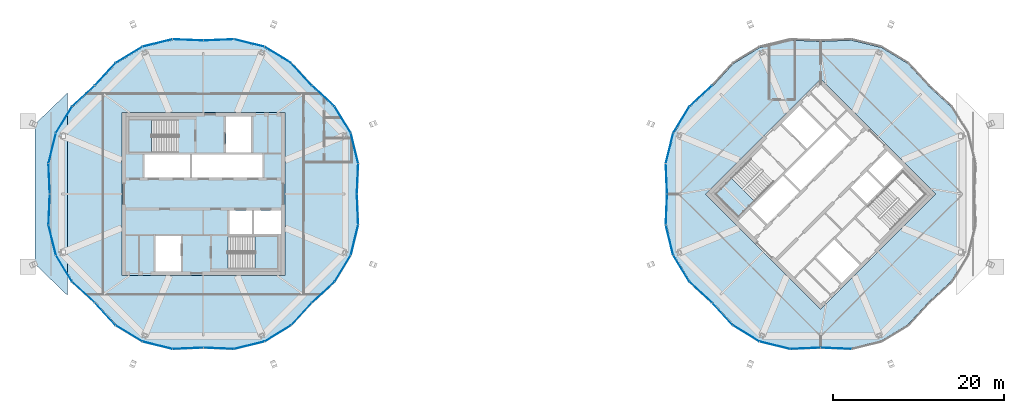
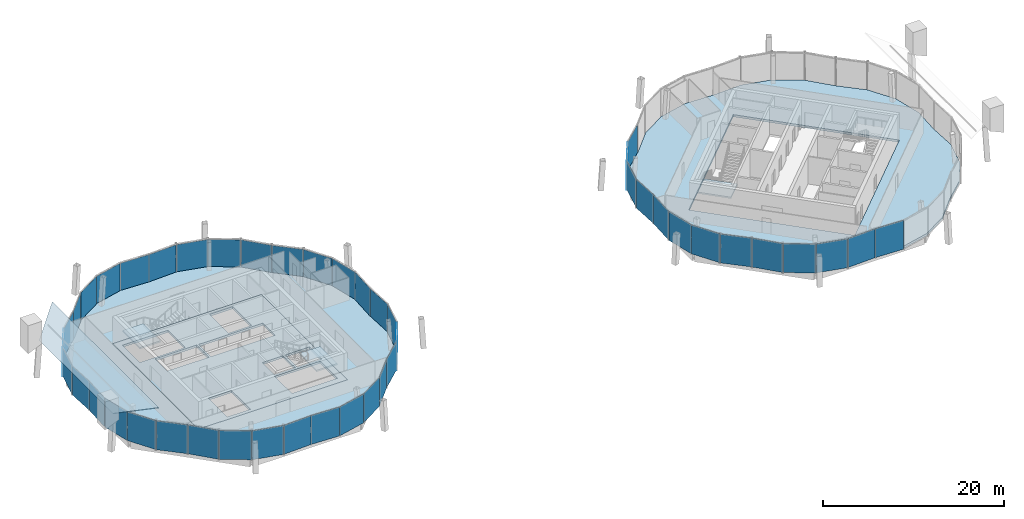
# One storey, part 14 of 22: 46 plates, 6 slabs, 16 elements without a shape of their own.
"""IFC4 building model written with IfcOpenShell, lengths in metres."""

from ifc_helpers import new_model, si_unit, direction, frame, origin, origin_2d, place, context, subcontext, project, spatial, polyline, rectangle, outline, extrude, material, layer, layer_set, type_object, element, aggregate, save


model = new_model("IFC4")

# Units and contexts
model_context = context("Model", 3, precision=1e-05, world=origin(), true_north=direction((0.0, 1.0)))
body_context = subcontext(model_context, "Body", "Model", "MODEL_VIEW")
ifc_project = project(units=[si_unit("LENGTHUNIT", "METRE"), si_unit("AREAUNIT", "SQUARE_METRE"), si_unit("VOLUMEUNIT", "CUBIC_METRE"), si_unit("PLANEANGLEUNIT", "RADIAN"), si_unit("MASSUNIT", "GRAM", prefix="KILO")], contexts=[model_context])

# Site, building, storey
site_placement = place(None, origin())
site = spatial("IfcSite", under=ifc_project, at=site_placement, CompositionType="ELEMENT")
building_placement = place(site_placement, origin())
building = spatial("IfcBuilding", under=site, at=building_placement, Name="Ogive Gate Towers", CompositionType="ELEMENT")
storey_placement = place(building_placement, frame((0.0, 0.0, 298.0)))
storey = spatial("IfcBuildingStorey", under=building, at=storey_placement, Name="L70", CompositionType="ELEMENT", Elevation=298.0)

# Slab
ifc_material_1 = material(Name="Concrete C40/50", Category="concrete")
ifc_layer_1 = layer(ifc_material_1, 0.300048828125)
ifc_layer_set_1 = layer_set([ifc_layer_1], Name="Core slab C40/50 300 mm")
slab_type_1 = type_object("IfcSlabType", Name="Core slab C40/50 300 mm", PredefinedType="FLOOR", material=ifc_layer_set_1)
slab_1_placement = place(storey_placement, frame((0.0, 0.0, -0.300048828125)))
element("IfcSlab", 1, at=slab_1_placement, inside=storey, type_object=slab_type_1, Name="T1 L70 core slab", PredefinedType="FLOOR", context=body_context, shape_type="SweptSolid", body=[
    extrude(outline(polyline([(-45.5, -9.5), (-45.5, 9.5), (-26.5, 9.5), (-26.5, -9.5), (-45.5, -9.5)]), holes=[polyline([(-42.875, 1.925048828125), (-37.574951171875, 1.925048828125), (-37.574951171875, 4.625), (-42.875, 4.625), (-42.875, 1.925048828125)]), polyline([(-37.324951171875, 4.625), (-37.324951171875, 1.925048828125), (-29.125, 1.925048828125), (-29.125, 4.625), (-37.324951171875, 4.625)]), polyline([(-30.324951171875, -1.925048828125), (-32.97509765625, -1.925048828125), (-32.97509765625, -4.625), (-30.324951171875, -4.625), (-30.324951171875, -1.925048828125)]), polyline([(-26.949951171875, -4.625), (-26.949951171875, -1.925048828125), (-30.074951171875, -1.925048828125), (-30.074951171875, -4.625), (-26.949951171875, -4.625)]), polyline([(-33.375, 4.875), (-30.425048828125, 4.875), (-30.425048828125, 9.050048828125), (-33.375, 9.050048828125), (-33.375, 4.875)]), polyline([(-41.574951171875, -4.875), (-41.574951171875, -9.050048828125), (-38.625, -9.050048828125), (-38.625, -4.875), (-41.574951171875, -4.875)]), polyline([(-44.699951171875, 4.875), (-38.885009765625, 4.875), (-38.885009765625, 8.699951171875), (-44.699951171875, 8.699951171875), (-44.699951171875, 4.875)]), polyline([(-27.300048828125, -8.699951171875), (-27.300048828125, -4.875), (-33.114990234375, -4.875), (-33.114990234375, -8.699951171875), (-27.300048828125, -8.699951171875)])]), origin(), (0.0, 0.0, 1.0), 0.300048828125),
])

# Curtain wall, plates
ifc_material_2 = material(Name="Pale metal aluminium", Category="aluminium")
curtain_wall_type = type_object("IfcCurtainWallType", Name="Crown lean wall", PredefinedType="NOTDEFINED", material=ifc_material_2)
curtain_wall_1_placement = place(storey_placement, origin())
curtain_wall_1 = element("IfcCurtainWall", 2, at=curtain_wall_1_placement, inside=storey, type_object=curtain_wall_type, Name="CW5 T1 ECW01", PredefinedType="NOTDEFINED")
ifc_material_3 = material(Name="Clear glass", Category="glass")
ifc_layer_2 = layer(ifc_material_3, 0.028076171875)
ifc_layer_set_2 = layer_set([ifc_layer_2], Name="Crown lean wall glass panel")
plate_type_1 = type_object("IfcPlateType", Name="Crown lean wall glass panel", PredefinedType="CURTAIN_PANEL", material=ifc_layer_set_2)
plate_1_placement = place(storey_placement, frame((-22.018310546875, 11.45166015625, -0.2998046875), z_axis=(0.0, 0.0, 1.0), x_axis=(0.735813493407, -0.677184245918, 0.0)))
plate_1 = element("IfcPlate", 3, at=plate_1_placement, type_object=plate_type_1, Name="CW5 glass panel", PredefinedType="CURTAIN_PANEL", context=body_context, shape_type="SweptSolid", body=[
    extrude(rectangle(XDim=3.537109375, YDim=0.028076171875, at=origin_2d()), origin(), (0.0, 0.0, 1.0), 3.904052734375),
])
plate_2_placement = place(storey_placement, frame((-19.751708984375, 8.679443359375, -0.2998046875), z_axis=(0.0, 0.0, 1.0), x_axis=(0.519250650088, -0.854621999707, 0.0)))
plate_2 = element("IfcPlate", 4, at=plate_2_placement, type_object=plate_type_1, Name="CW5 glass panel", PredefinedType="CURTAIN_PANEL", context=body_context, shape_type="SweptSolid", body=[
    extrude(rectangle(XDim=3.591796875, YDim=0.028076171875, at=origin_2d()), origin(), (0.0, 0.0, 1.0), 3.904052734375),
])
plate_3_placement = place(storey_placement, frame((-18.373291015625, 5.35205078125, -0.2998046875), z_axis=(0.0, 0.0, 1.0), x_axis=(0.237160310926, -0.971470528077, 0.0)))
plate_3 = element("IfcPlate", 5, at=plate_3_placement, type_object=plate_type_1, Name="CW5 glass panel", PredefinedType="CURTAIN_PANEL", context=body_context, shape_type="SweptSolid", body=[
    extrude(rectangle(XDim=3.591796875, YDim=0.028076171875, at=origin_2d()), origin(), (0.0, 0.0, 1.0), 3.904052734375),
])
plate_4_placement = place(storey_placement, frame((-18.015625, 1.7890625, -0.2998046875), z_axis=(0.0, 0.0, 1.0), x_axis=(-0.041439700181, -0.99914100669, 0.0)))
plate_4 = element("IfcPlate", 6, at=plate_4_placement, type_object=plate_type_1, Name="CW5 glass panel", PredefinedType="CURTAIN_PANEL", context=body_context, shape_type="SweptSolid", body=[
    extrude(rectangle(XDim=3.537109375, YDim=0.028076171875, at=origin_2d()), origin(), (0.0, 0.0, 1.0), 3.904052734375),
])
aggregate(curtain_wall_1, [plate_1, plate_2, plate_3, plate_4])

curtain_wall_2_placement = place(storey_placement, origin())
curtain_wall_2 = element("IfcCurtainWall", 7, at=curtain_wall_2_placement, inside=storey, type_object=curtain_wall_type, Name="CW5 T1 ECW02", PredefinedType="NOTDEFINED")
plate_5_placement = place(storey_placement, frame((-34.2109375, 17.984375, -0.2998046875), z_axis=(0.0, 0.0, 1.0), x_axis=(0.99914100669, 0.041439700181, 0.0)))
plate_5 = element("IfcPlate", 8, at=plate_5_placement, type_object=plate_type_1, Name="CW5 glass panel", PredefinedType="CURTAIN_PANEL", context=body_context, shape_type="SweptSolid", body=[
    extrude(rectangle(XDim=3.537109375, YDim=0.028076171875, at=origin_2d()), origin(), (0.0, 0.0, 1.0), 3.904052734375),
])
plate_6_placement = place(storey_placement, frame((-30.64794921875, 17.626708984375, -0.2998046875), z_axis=(0.0, 0.0, 1.0), x_axis=(0.971470528077, -0.237160310926, 0.0)))
plate_6 = element("IfcPlate", 9, at=plate_6_placement, type_object=plate_type_1, Name="CW5 glass panel", PredefinedType="CURTAIN_PANEL", context=body_context, shape_type="SweptSolid", body=[
    extrude(rectangle(XDim=3.591796875, YDim=0.028076171875, at=origin_2d()), origin(), (0.0, 0.0, 1.0), 3.904052734375),
])
plate_7_placement = place(storey_placement, frame((-27.320556640625, 16.248291015625, -0.2998046875), z_axis=(0.0, 0.0, 1.0), x_axis=(0.854621999707, -0.519250650088, 0.0)))
plate_7 = element("IfcPlate", 10, at=plate_7_placement, type_object=plate_type_1, Name="CW5 glass panel", PredefinedType="CURTAIN_PANEL", context=body_context, shape_type="SweptSolid", body=[
    extrude(rectangle(XDim=3.591796875, YDim=0.028076171875, at=origin_2d()), origin(), (0.0, 0.0, 1.0), 3.904052734375),
])
plate_8_placement = place(storey_placement, frame((-24.54833984375, 13.981689453125, -0.2998046875), z_axis=(0.0, 0.0, 1.0), x_axis=(0.677184245918, -0.735813493407, 0.0)))
plate_8 = element("IfcPlate", 11, at=plate_8_placement, type_object=plate_type_1, Name="CW5 glass panel", PredefinedType="CURTAIN_PANEL", context=body_context, shape_type="SweptSolid", body=[
    extrude(rectangle(XDim=3.537109375, YDim=0.028076171875, at=origin_2d()), origin(), (0.0, 0.0, 1.0), 3.904052734375),
])
aggregate(curtain_wall_2, [plate_5, plate_6, plate_7, plate_8])

curtain_wall_3_placement = place(storey_placement, origin())
curtain_wall_3 = element("IfcCurtainWall", 12, at=curtain_wall_3_placement, inside=storey, type_object=curtain_wall_type, Name="CW5 T1 ECW03", PredefinedType="NOTDEFINED")
plate_9_placement = place(storey_placement, frame((-47.45166015625, 13.981689453125, -0.2998046875), z_axis=(0.0, 0.0, 1.0), x_axis=(0.677184245918, 0.735813493407, 0.0)))
plate_9 = element("IfcPlate", 13, at=plate_9_placement, type_object=plate_type_1, Name="CW5 glass panel", PredefinedType="CURTAIN_PANEL", context=body_context, shape_type="SweptSolid", body=[
    extrude(rectangle(XDim=3.537109375, YDim=0.028076171875, at=origin_2d()), origin(), (0.0, 0.0, 1.0), 3.904052734375),
])
plate_10_placement = place(storey_placement, frame((-44.679443359375, 16.248291015625, -0.2998046875), z_axis=(0.0, 0.0, 1.0), x_axis=(0.854621999707, 0.519250650088, 0.0)))
plate_10 = element("IfcPlate", 14, at=plate_10_placement, type_object=plate_type_1, Name="CW5 glass panel", PredefinedType="CURTAIN_PANEL", context=body_context, shape_type="SweptSolid", body=[
    extrude(rectangle(XDim=3.591796875, YDim=0.028076171875, at=origin_2d()), origin(), (0.0, 0.0, 1.0), 3.904052734375),
])
plate_11_placement = place(storey_placement, frame((-41.35205078125, 17.626708984375, -0.2998046875), z_axis=(0.0, 0.0, 1.0), x_axis=(0.971470528077, 0.237160310926, 0.0)))
plate_11 = element("IfcPlate", 15, at=plate_11_placement, type_object=plate_type_1, Name="CW5 glass panel", PredefinedType="CURTAIN_PANEL", context=body_context, shape_type="SweptSolid", body=[
    extrude(rectangle(XDim=3.591796875, YDim=0.028076171875, at=origin_2d()), origin(), (0.0, 0.0, 1.0), 3.904052734375),
])
plate_12_placement = place(storey_placement, frame((-37.7890625, 17.984375, -0.2998046875), z_axis=(0.0, 0.0, 1.0), x_axis=(0.99914100669, -0.041439700181, 0.0)))
plate_12 = element("IfcPlate", 16, at=plate_12_placement, type_object=plate_type_1, Name="CW5 glass panel", PredefinedType="CURTAIN_PANEL", context=body_context, shape_type="SweptSolid", body=[
    extrude(rectangle(XDim=3.537109375, YDim=0.028076171875, at=origin_2d()), origin(), (0.0, 0.0, 1.0), 3.904052734375),
])
aggregate(curtain_wall_3, [plate_9, plate_10, plate_11, plate_12])

curtain_wall_4_placement = place(storey_placement, origin())
curtain_wall_4 = element("IfcCurtainWall", 17, at=curtain_wall_4_placement, inside=storey, type_object=curtain_wall_type, Name="CW5 T1 ECW04", PredefinedType="NOTDEFINED")
plate_13_placement = place(storey_placement, frame((-53.984375, 1.7890625, -0.2998046875), z_axis=(0.0, 0.0, 1.0), x_axis=(-0.041439700181, 0.99914100669, 0.0)))
plate_13 = element("IfcPlate", 18, at=plate_13_placement, type_object=plate_type_1, Name="CW5 glass panel", PredefinedType="CURTAIN_PANEL", context=body_context, shape_type="SweptSolid", body=[
    extrude(rectangle(XDim=3.537109375, YDim=0.028076171875, at=origin_2d()), origin(), (0.0, 0.0, 1.0), 3.904052734375),
])
plate_14_placement = place(storey_placement, frame((-53.626708984375, 5.35205078125, -0.2998046875), z_axis=(0.0, 0.0, 1.0), x_axis=(0.237160310926, 0.971470528077, 0.0)))
plate_14 = element("IfcPlate", 19, at=plate_14_placement, type_object=plate_type_1, Name="CW5 glass panel", PredefinedType="CURTAIN_PANEL", context=body_context, shape_type="SweptSolid", body=[
    extrude(rectangle(XDim=3.591796875, YDim=0.028076171875, at=origin_2d()), origin(), (0.0, 0.0, 1.0), 3.904052734375),
])
plate_15_placement = place(storey_placement, frame((-52.248291015625, 8.679443359375, -0.2998046875), z_axis=(0.0, 0.0, 1.0), x_axis=(0.519250650088, 0.854621999707, 0.0)))
plate_15 = element("IfcPlate", 20, at=plate_15_placement, type_object=plate_type_1, Name="CW5 glass panel", PredefinedType="CURTAIN_PANEL", context=body_context, shape_type="SweptSolid", body=[
    extrude(rectangle(XDim=3.591796875, YDim=0.028076171875, at=origin_2d()), origin(), (0.0, 0.0, 1.0), 3.904052734375),
])
plate_16_placement = place(storey_placement, frame((-49.981689453125, 11.45166015625, -0.2998046875), z_axis=(0.0, 0.0, 1.0), x_axis=(0.735813493407, 0.677184245918, 0.0)))
plate_16 = element("IfcPlate", 21, at=plate_16_placement, type_object=plate_type_1, Name="CW5 glass panel", PredefinedType="CURTAIN_PANEL", context=body_context, shape_type="SweptSolid", body=[
    extrude(rectangle(XDim=3.537109375, YDim=0.028076171875, at=origin_2d()), origin(), (0.0, 0.0, 1.0), 3.904052734375),
])
aggregate(curtain_wall_4, [plate_13, plate_14, plate_15, plate_16])

curtain_wall_5_placement = place(storey_placement, origin())
curtain_wall_5 = element("IfcCurtainWall", 22, at=curtain_wall_5_placement, inside=storey, type_object=curtain_wall_type, Name="CW5 T1 ECW05", PredefinedType="NOTDEFINED")
plate_17_placement = place(storey_placement, frame((-49.981689453125, -11.45166015625, -0.2998046875), z_axis=(0.0, 0.0, 1.0), x_axis=(-0.735813493407, 0.677184245918, 0.0)))
plate_17 = element("IfcPlate", 23, at=plate_17_placement, type_object=plate_type_1, Name="CW5 glass panel", PredefinedType="CURTAIN_PANEL", context=body_context, shape_type="SweptSolid", body=[
    extrude(rectangle(XDim=3.537109375, YDim=0.028076171875, at=origin_2d()), origin(), (0.0, 0.0, 1.0), 3.904052734375),
])
plate_18_placement = place(storey_placement, frame((-52.248291015625, -8.679443359375, -0.2998046875), z_axis=(0.0, 0.0, 1.0), x_axis=(-0.519250650088, 0.854621999707, 0.0)))
plate_18 = element("IfcPlate", 24, at=plate_18_placement, type_object=plate_type_1, Name="CW5 glass panel", PredefinedType="CURTAIN_PANEL", context=body_context, shape_type="SweptSolid", body=[
    extrude(rectangle(XDim=3.591796875, YDim=0.028076171875, at=origin_2d()), origin(), (0.0, 0.0, 1.0), 3.904052734375),
])
plate_19_placement = place(storey_placement, frame((-53.626708984375, -5.35205078125, -0.2998046875), z_axis=(0.0, 0.0, 1.0), x_axis=(-0.237160310926, 0.971470528077, 0.0)))
plate_19 = element("IfcPlate", 25, at=plate_19_placement, type_object=plate_type_1, Name="CW5 glass panel", PredefinedType="CURTAIN_PANEL", context=body_context, shape_type="SweptSolid", body=[
    extrude(rectangle(XDim=3.591796875, YDim=0.028076171875, at=origin_2d()), origin(), (0.0, 0.0, 1.0), 3.904052734375),
])
plate_20_placement = place(storey_placement, frame((-53.984375, -1.7890625, -0.2998046875), z_axis=(0.0, 0.0, 1.0), x_axis=(0.041439700181, 0.99914100669, 0.0)))
plate_20 = element("IfcPlate", 26, at=plate_20_placement, type_object=plate_type_1, Name="CW5 glass panel", PredefinedType="CURTAIN_PANEL", context=body_context, shape_type="SweptSolid", body=[
    extrude(rectangle(XDim=3.537109375, YDim=0.028076171875, at=origin_2d()), origin(), (0.0, 0.0, 1.0), 3.904052734375),
])
aggregate(curtain_wall_5, [plate_17, plate_18, plate_19, plate_20])

curtain_wall_6_placement = place(storey_placement, origin())
curtain_wall_6 = element("IfcCurtainWall", 27, at=curtain_wall_6_placement, inside=storey, type_object=curtain_wall_type, Name="CW5 T1 ECW06", PredefinedType="NOTDEFINED")
plate_21_placement = place(storey_placement, frame((-37.7890625, -17.984375, -0.2998046875), z_axis=(0.0, 0.0, 1.0), x_axis=(-0.99914100669, -0.041439700181, 0.0)))
plate_21 = element("IfcPlate", 28, at=plate_21_placement, type_object=plate_type_1, Name="CW5 glass panel", PredefinedType="CURTAIN_PANEL", context=body_context, shape_type="SweptSolid", body=[
    extrude(rectangle(XDim=3.537109375, YDim=0.028076171875, at=origin_2d()), origin(), (0.0, 0.0, 1.0), 3.904052734375),
])
plate_22_placement = place(storey_placement, frame((-41.35205078125, -17.626708984375, -0.2998046875), z_axis=(0.0, 0.0, 1.0), x_axis=(-0.971470528077, 0.237160310926, 0.0)))
plate_22 = element("IfcPlate", 29, at=plate_22_placement, type_object=plate_type_1, Name="CW5 glass panel", PredefinedType="CURTAIN_PANEL", context=body_context, shape_type="SweptSolid", body=[
    extrude(rectangle(XDim=3.591796875, YDim=0.028076171875, at=origin_2d()), origin(), (0.0, 0.0, 1.0), 3.904052734375),
])
plate_23_placement = place(storey_placement, frame((-44.679443359375, -16.248291015625, -0.2998046875), z_axis=(0.0, 0.0, 1.0), x_axis=(-0.854621999707, 0.519250650088, 0.0)))
plate_23 = element("IfcPlate", 30, at=plate_23_placement, type_object=plate_type_1, Name="CW5 glass panel", PredefinedType="CURTAIN_PANEL", context=body_context, shape_type="SweptSolid", body=[
    extrude(rectangle(XDim=3.591796875, YDim=0.028076171875, at=origin_2d()), origin(), (0.0, 0.0, 1.0), 3.904052734375),
])
plate_24_placement = place(storey_placement, frame((-47.45166015625, -13.981689453125, -0.2998046875), z_axis=(0.0, 0.0, 1.0), x_axis=(-0.677184245918, 0.735813493407, 0.0)))
plate_24 = element("IfcPlate", 31, at=plate_24_placement, type_object=plate_type_1, Name="CW5 glass panel", PredefinedType="CURTAIN_PANEL", context=body_context, shape_type="SweptSolid", body=[
    extrude(rectangle(XDim=3.537109375, YDim=0.028076171875, at=origin_2d()), origin(), (0.0, 0.0, 1.0), 3.904052734375),
])
aggregate(curtain_wall_6, [plate_21, plate_22, plate_23, plate_24])

curtain_wall_7_placement = place(storey_placement, origin())
curtain_wall_7 = element("IfcCurtainWall", 32, at=curtain_wall_7_placement, inside=storey, type_object=curtain_wall_type, Name="CW5 T1 ECW07", PredefinedType="NOTDEFINED")
plate_25_placement = place(storey_placement, frame((-24.54833984375, -13.981689453125, -0.2998046875), z_axis=(0.0, 0.0, 1.0), x_axis=(-0.677184245918, -0.735813493407, 0.0)))
plate_25 = element("IfcPlate", 33, at=plate_25_placement, type_object=plate_type_1, Name="CW5 glass panel", PredefinedType="CURTAIN_PANEL", context=body_context, shape_type="SweptSolid", body=[
    extrude(rectangle(XDim=3.537109375, YDim=0.028076171875, at=origin_2d()), origin(), (0.0, 0.0, 1.0), 3.904052734375),
])
plate_26_placement = place(storey_placement, frame((-27.320556640625, -16.248291015625, -0.2998046875), z_axis=(0.0, 0.0, 1.0), x_axis=(-0.854621999707, -0.519250650088, 0.0)))
plate_26 = element("IfcPlate", 34, at=plate_26_placement, type_object=plate_type_1, Name="CW5 glass panel", PredefinedType="CURTAIN_PANEL", context=body_context, shape_type="SweptSolid", body=[
    extrude(rectangle(XDim=3.591796875, YDim=0.028076171875, at=origin_2d()), origin(), (0.0, 0.0, 1.0), 3.904052734375),
])
plate_27_placement = place(storey_placement, frame((-30.64794921875, -17.626708984375, -0.2998046875), z_axis=(0.0, 0.0, 1.0), x_axis=(-0.971470528077, -0.237160310926, 0.0)))
plate_27 = element("IfcPlate", 35, at=plate_27_placement, type_object=plate_type_1, Name="CW5 glass panel", PredefinedType="CURTAIN_PANEL", context=body_context, shape_type="SweptSolid", body=[
    extrude(rectangle(XDim=3.591796875, YDim=0.028076171875, at=origin_2d()), origin(), (0.0, 0.0, 1.0), 3.904052734375),
])
plate_28_placement = place(storey_placement, frame((-34.2109375, -17.984375, -0.2998046875), z_axis=(0.0, 0.0, 1.0), x_axis=(-0.99914100669, 0.041439700181, 0.0)))
plate_28 = element("IfcPlate", 36, at=plate_28_placement, type_object=plate_type_1, Name="CW5 glass panel", PredefinedType="CURTAIN_PANEL", context=body_context, shape_type="SweptSolid", body=[
    extrude(rectangle(XDim=3.537109375, YDim=0.028076171875, at=origin_2d()), origin(), (0.0, 0.0, 1.0), 3.904052734375),
])
aggregate(curtain_wall_7, [plate_25, plate_26, plate_27, plate_28])

curtain_wall_8_placement = place(storey_placement, origin())
curtain_wall_8 = element("IfcCurtainWall", 37, at=curtain_wall_8_placement, inside=storey, type_object=curtain_wall_type, Name="CW5 T1 ECW08", PredefinedType="NOTDEFINED")
plate_29_placement = place(storey_placement, frame((-18.372802734375, -5.35009765625, -0.2998046875), z_axis=(0.0, 0.0, 1.0), x_axis=(-0.237160310926, -0.971470528077, 0.0)))
plate_29 = element("IfcPlate", 38, at=plate_29_placement, type_object=plate_type_1, Name="CW5 glass panel", PredefinedType="CURTAIN_PANEL", context=body_context, shape_type="SweptSolid", body=[
    extrude(rectangle(XDim=3.595947265625, YDim=0.028076171875, at=origin_2d()), origin(), (0.0, 0.0, 1.0), 3.904052734375),
])
plate_30_placement = place(storey_placement, frame((-19.751708984375, -8.679443359375, -0.2998046875), z_axis=(0.0, 0.0, 1.0), x_axis=(-0.519250650088, -0.854621999707, 0.0)))
plate_30 = element("IfcPlate", 39, at=plate_30_placement, type_object=plate_type_1, Name="CW5 glass panel", PredefinedType="CURTAIN_PANEL", context=body_context, shape_type="SweptSolid", body=[
    extrude(rectangle(XDim=3.591796875, YDim=0.028076171875, at=origin_2d()), origin(), (0.0, 0.0, 1.0), 3.904052734375),
])
plate_31_placement = place(storey_placement, frame((-22.018310546875, -11.45166015625, -0.2998046875), z_axis=(0.0, 0.0, 1.0), x_axis=(-0.735813493407, -0.677184245918, 0.0)))
plate_31 = element("IfcPlate", 40, at=plate_31_placement, type_object=plate_type_1, Name="CW5 glass panel", PredefinedType="CURTAIN_PANEL", context=body_context, shape_type="SweptSolid", body=[
    extrude(rectangle(XDim=3.537109375, YDim=0.028076171875, at=origin_2d()), origin(), (0.0, 0.0, 1.0), 3.904052734375),
])
aggregate(curtain_wall_8, [plate_29, plate_30, plate_31])

# Curtain wall, plate
curtain_wall_9_placement = place(storey_placement, origin())
curtain_wall_9 = element("IfcCurtainWall", 41, at=curtain_wall_9_placement, inside=storey, type_object=curtain_wall_type, Name="CW5 T1 ECW08b", PredefinedType="NOTDEFINED")
plate_32_placement = place(storey_placement, frame((-18.015625, -1.791015625, -0.2998046875), z_axis=(0.0, 0.0, 1.0), x_axis=(0.041439700181, -0.99914100669, 0.0)))
plate_32 = element("IfcPlate", 42, at=plate_32_placement, type_object=plate_type_1, Name="CW5 glass panel", PredefinedType="CURTAIN_PANEL", context=body_context, shape_type="SweptSolid", body=[
    extrude(rectangle(XDim=3.541259765625, YDim=0.028076171875, at=origin_2d()), origin(), (0.0, 0.0, 1.0), 3.904052734375),
])
aggregate(curtain_wall_9, [plate_32])

# Curtain wall, plates
curtain_wall_10_placement = place(storey_placement, origin())
curtain_wall_10 = element("IfcCurtainWall", 43, at=curtain_wall_10_placement, inside=storey, type_object=curtain_wall_type, Name="CW5 T2 ECW04", PredefinedType="NOTDEFINED")
plate_33_placement = place(storey_placement, frame((18.015625, 1.7890625, -0.2998046875), z_axis=(0.0, 0.0, 1.0), x_axis=(-0.041439700181, 0.99914100669, 0.0)))
plate_33 = element("IfcPlate", 44, at=plate_33_placement, type_object=plate_type_1, Name="CW5 glass panel", PredefinedType="CURTAIN_PANEL", context=body_context, shape_type="SweptSolid", body=[
    extrude(rectangle(XDim=3.537109375, YDim=0.028076171875, at=origin_2d()), origin(), (0.0, 0.0, 1.0), 3.904052734375),
])
plate_34_placement = place(storey_placement, frame((18.373291015625, 5.35205078125, -0.2998046875), z_axis=(0.0, 0.0, 1.0), x_axis=(0.237160310926, 0.971470528077, 0.0)))
plate_34 = element("IfcPlate", 45, at=plate_34_placement, type_object=plate_type_1, Name="CW5 glass panel", PredefinedType="CURTAIN_PANEL", context=body_context, shape_type="SweptSolid", body=[
    extrude(rectangle(XDim=3.591796875, YDim=0.028076171875, at=origin_2d()), origin(), (0.0, 0.0, 1.0), 3.904052734375),
])
plate_35_placement = place(storey_placement, frame((19.751708984375, 8.679443359375, -0.2998046875), z_axis=(0.0, 0.0, 1.0), x_axis=(0.519250650088, 0.854621999707, 0.0)))
plate_35 = element("IfcPlate", 46, at=plate_35_placement, type_object=plate_type_1, Name="CW5 glass panel", PredefinedType="CURTAIN_PANEL", context=body_context, shape_type="SweptSolid", body=[
    extrude(rectangle(XDim=3.591796875, YDim=0.028076171875, at=origin_2d()), origin(), (0.0, 0.0, 1.0), 3.904052734375),
])
plate_36_placement = place(storey_placement, frame((22.018310546875, 11.45166015625, -0.2998046875), z_axis=(0.0, 0.0, 1.0), x_axis=(0.735813493407, 0.677184245918, 0.0)))
plate_36 = element("IfcPlate", 47, at=plate_36_placement, type_object=plate_type_1, Name="CW5 glass panel", PredefinedType="CURTAIN_PANEL", context=body_context, shape_type="SweptSolid", body=[
    extrude(rectangle(XDim=3.537109375, YDim=0.028076171875, at=origin_2d()), origin(), (0.0, 0.0, 1.0), 3.904052734375),
])
aggregate(curtain_wall_10, [plate_33, plate_34, plate_35, plate_36])

curtain_wall_11_placement = place(storey_placement, origin())
curtain_wall_11 = element("IfcCurtainWall", 48, at=curtain_wall_11_placement, inside=storey, type_object=curtain_wall_type, Name="CW5 T2 ECW05", PredefinedType="NOTDEFINED")
plate_37_placement = place(storey_placement, frame((22.018310546875, -11.45166015625, -0.2998046875), z_axis=(0.0, 0.0, 1.0), x_axis=(-0.735813493407, 0.677184245918, 0.0)))
plate_37 = element("IfcPlate", 49, at=plate_37_placement, type_object=plate_type_1, Name="CW5 glass panel", PredefinedType="CURTAIN_PANEL", context=body_context, shape_type="SweptSolid", body=[
    extrude(rectangle(XDim=3.537109375, YDim=0.028076171875, at=origin_2d()), origin(), (0.0, 0.0, 1.0), 3.904052734375),
])
plate_38_placement = place(storey_placement, frame((19.751708984375, -8.679443359375, -0.2998046875), z_axis=(0.0, 0.0, 1.0), x_axis=(-0.519250650088, 0.854621999707, 0.0)))
plate_38 = element("IfcPlate", 50, at=plate_38_placement, type_object=plate_type_1, Name="CW5 glass panel", PredefinedType="CURTAIN_PANEL", context=body_context, shape_type="SweptSolid", body=[
    extrude(rectangle(XDim=3.591796875, YDim=0.028076171875, at=origin_2d()), origin(), (0.0, 0.0, 1.0), 3.904052734375),
])
plate_39_placement = place(storey_placement, frame((18.373291015625, -5.35205078125, -0.2998046875), z_axis=(0.0, 0.0, 1.0), x_axis=(-0.237160310926, 0.971470528077, 0.0)))
plate_39 = element("IfcPlate", 51, at=plate_39_placement, type_object=plate_type_1, Name="CW5 glass panel", PredefinedType="CURTAIN_PANEL", context=body_context, shape_type="SweptSolid", body=[
    extrude(rectangle(XDim=3.591796875, YDim=0.028076171875, at=origin_2d()), origin(), (0.0, 0.0, 1.0), 3.904052734375),
])
plate_40_placement = place(storey_placement, frame((18.015625, -1.7890625, -0.2998046875), z_axis=(0.0, 0.0, 1.0), x_axis=(0.041439700181, 0.99914100669, 0.0)))
plate_40 = element("IfcPlate", 52, at=plate_40_placement, type_object=plate_type_1, Name="CW5 glass panel", PredefinedType="CURTAIN_PANEL", context=body_context, shape_type="SweptSolid", body=[
    extrude(rectangle(XDim=3.537109375, YDim=0.028076171875, at=origin_2d()), origin(), (0.0, 0.0, 1.0), 3.904052734375),
])
aggregate(curtain_wall_11, [plate_37, plate_38, plate_39, plate_40])

curtain_wall_12_placement = place(storey_placement, origin())
curtain_wall_12 = element("IfcCurtainWall", 53, at=curtain_wall_12_placement, inside=storey, type_object=curtain_wall_type, Name="CW5 T2 ECW06", PredefinedType="NOTDEFINED")
plate_41_placement = place(storey_placement, frame((34.2109375, -17.984375, -0.2998046875), z_axis=(0.0, 0.0, 1.0), x_axis=(-0.99914100669, -0.041439700181, 0.0)))
plate_41 = element("IfcPlate", 54, at=plate_41_placement, type_object=plate_type_1, Name="CW5 glass panel", PredefinedType="CURTAIN_PANEL", context=body_context, shape_type="SweptSolid", body=[
    extrude(rectangle(XDim=3.537109375, YDim=0.028076171875, at=origin_2d()), origin(), (0.0, 0.0, 1.0), 3.904052734375),
])
plate_42_placement = place(storey_placement, frame((30.64794921875, -17.626708984375, -0.2998046875), z_axis=(0.0, 0.0, 1.0), x_axis=(-0.971470528077, 0.237160310926, 0.0)))
plate_42 = element("IfcPlate", 55, at=plate_42_placement, type_object=plate_type_1, Name="CW5 glass panel", PredefinedType="CURTAIN_PANEL", context=body_context, shape_type="SweptSolid", body=[
    extrude(rectangle(XDim=3.591796875, YDim=0.028076171875, at=origin_2d()), origin(), (0.0, 0.0, 1.0), 3.904052734375),
])
plate_43_placement = place(storey_placement, frame((27.320556640625, -16.248291015625, -0.2998046875), z_axis=(0.0, 0.0, 1.0), x_axis=(-0.854621999707, 0.519250650088, 0.0)))
plate_43 = element("IfcPlate", 56, at=plate_43_placement, type_object=plate_type_1, Name="CW5 glass panel", PredefinedType="CURTAIN_PANEL", context=body_context, shape_type="SweptSolid", body=[
    extrude(rectangle(XDim=3.591796875, YDim=0.028076171875, at=origin_2d()), origin(), (0.0, 0.0, 1.0), 3.904052734375),
])
plate_44_placement = place(storey_placement, frame((24.54833984375, -13.981689453125, -0.2998046875), z_axis=(0.0, 0.0, 1.0), x_axis=(-0.677184245918, 0.735813493407, 0.0)))
plate_44 = element("IfcPlate", 57, at=plate_44_placement, type_object=plate_type_1, Name="CW5 glass panel", PredefinedType="CURTAIN_PANEL", context=body_context, shape_type="SweptSolid", body=[
    extrude(rectangle(XDim=3.537109375, YDim=0.028076171875, at=origin_2d()), origin(), (0.0, 0.0, 1.0), 3.904052734375),
])
aggregate(curtain_wall_12, [plate_41, plate_42, plate_43, plate_44])

# Curtain wall, plate
curtain_wall_13_placement = place(storey_placement, origin())
curtain_wall_13 = element("IfcCurtainWall", 58, at=curtain_wall_13_placement, inside=storey, type_object=curtain_wall_type, Name="CW5 T2 ECW07", PredefinedType="NOTDEFINED")
plate_45_placement = place(storey_placement, frame((37.7890625, -17.984375, -0.2998046875), z_axis=(0.0, 0.0, 1.0), x_axis=(-0.99914100669, 0.041439700181, 0.0)))
plate_45 = element("IfcPlate", 59, at=plate_45_placement, type_object=plate_type_1, Name="CW5 glass panel", PredefinedType="CURTAIN_PANEL", context=body_context, shape_type="SweptSolid", body=[
    extrude(rectangle(XDim=3.537109375, YDim=0.028076171875, at=origin_2d()), origin(), (0.0, 0.0, 1.0), 3.904052734375),
])
aggregate(curtain_wall_13, [plate_45])

# Slabs
ifc_material_4 = material(Name="Concrete C35/45", Category="concrete")
ifc_layer_3 = layer(ifc_material_4, 0.300048828125)
ifc_layer_set_3 = layer_set([ifc_layer_3], Name="Floor slab 300")
slab_type_2 = type_object("IfcSlabType", Name="Floor slab 300", PredefinedType="FLOOR", material=ifc_layer_set_3)
slab_2_placement = place(storey_placement, frame((0.0, 0.0, -0.300048828125)))
element("IfcSlab", 60, at=slab_2_placement, inside=storey, type_object=slab_type_2, Name="T1/L70/SSL001", PredefinedType="FLOOR", context=body_context, shape_type="SweptSolid", body=[
    extrude(outline(polyline([(-18.89892578125, -7.08349609375), (-18.041748046875, -3.572021484375), (-18.18994140625, 0.0), (-18.041748046875, 3.572021484375), (-18.89892578125, 7.08349609375), (-20.77587890625, 10.172607421875), (-23.406494140625, 12.593505859375), (-25.827392578125, 15.22412109375), (-28.91650390625, 17.10107421875), (-32.427978515625, 17.958251953125), (-36.0, 17.81005859375), (-39.572021484375, 17.958251953125), (-43.08349609375, 17.10107421875), (-46.172607421875, 15.22412109375), (-48.593505859375, 12.593505859375), (-51.22412109375, 10.172607421875), (-53.10107421875, 7.08349609375), (-53.958251953125, 3.572021484375), (-53.81005859375, 0.0), (-53.958251953125, -3.572021484375), (-53.10107421875, -7.08349609375), (-51.22412109375, -10.172607421875), (-48.593505859375, -12.593505859375), (-46.172607421875, -15.22412109375), (-43.08349609375, -17.10107421875), (-39.572021484375, -17.958251953125), (-36.0, -17.81005859375), (-32.427978515625, -17.958251953125), (-28.91650390625, -17.10107421875), (-25.827392578125, -15.22412109375), (-23.406494140625, -12.593505859375), (-20.77587890625, -10.172607421875), (-18.89892578125, -7.08349609375)]), holes=[polyline([(-26.5, -9.5), (-45.5, -9.5), (-45.5, 9.5), (-26.5, 9.5), (-26.5, -9.5)])]), origin(), (0.0, 0.0, 1.0), 0.300048828125),
])
slab_3_placement = place(storey_placement, frame((0.0, 0.0, -0.300048828125)))
element("IfcSlab", 61, at=slab_3_placement, inside=storey, type_object=slab_type_2, Name="T2/L70/SSL001", PredefinedType="FLOOR", context=body_context, shape_type="SweptSolid", body=[
    extrude(outline(polyline([(53.10107421875, -7.08349609375), (53.958251953125, -3.572021484375), (53.81005859375, 0.0), (53.958251953125, 3.572021484375), (53.10107421875, 7.08349609375), (51.22412109375, 10.172607421875), (48.593505859375, 12.593505859375), (46.172607421875, 15.22412109375), (43.08349609375, 17.10107421875), (39.572021484375, 17.958251953125), (36.0, 17.81005859375), (32.427978515625, 17.958251953125), (28.91650390625, 17.10107421875), (25.827392578125, 15.22412109375), (23.406494140625, 12.593505859375), (20.77587890625, 10.172607421875), (18.89892578125, 7.08349609375), (18.041748046875, 3.572021484375), (18.18994140625, 0.0), (18.041748046875, -3.572021484375), (18.89892578125, -7.08349609375), (20.77587890625, -10.172607421875), (23.406494140625, -12.593505859375), (25.827392578125, -15.22412109375), (28.91650390625, -17.10107421875), (32.427978515625, -17.958251953125), (36.0, -17.81005859375), (39.572021484375, -17.958251953125), (43.08349609375, -17.10107421875), (46.172607421875, -15.22412109375), (48.593505859375, -12.593505859375), (51.22412109375, -10.172607421875), (53.10107421875, -7.08349609375)]), holes=[polyline([(49.43505859375, 0.0), (36.0, -13.43505859375), (22.56494140625, 0.0), (36.0, 13.43505859375), (49.43505859375, 0.0)])]), origin(), (0.0, 0.0, 1.0), 0.300048828125),
])

# Plate
ifc_layer_4 = layer(ifc_material_3, 0.1201171875)
ifc_layer_set_4 = layer_set([ifc_layer_4], Name="Glazed crown roof")
plate_type_2 = type_object("IfcPlateType", Name="Glazed crown roof", PredefinedType="SHEET", material=ifc_layer_set_4)
plate_46_placement = place(storey_placement, frame((-55.653076171875, 8.140625, 4.8388671875), z_axis=(-0.408362184303, 0.0, 0.912819985775), x_axis=(0.685205370994, 0.660703739577, 0.306535753331)))
element("IfcPlate", 62, at=plate_46_placement, inside=storey, type_object=plate_type_2, Name="Glazed crown roof", PredefinedType="SHEET", context=body_context, shape_type="SweptSolid", body=[
    extrude(outline(polyline([(0.0, 0.0), (5.5202000206750625, 3.885780586188048e-16), (-10.056342292808035, -17.69701066476719), (-10.757082759993795, -12.221467671975587), (0.0, 0.0)])), origin(), (0.0, 0.0, -1.0), 0.1201171875),
])

# Stair, slab
stair_type = type_object("IfcStairType", Name="Escape stair 1840 wide", PredefinedType="HALF_TURN_STAIR", material=ifc_material_1)
stair_1_placement = place(storey_placement, origin())
stair_1 = element("IfcStair", 63, at=stair_1_placement, inside=storey, type_object=stair_type, Name="L70 Escape stair 1", PredefinedType="HALF_TURN_STAIR")
ifc_layer_5 = layer(ifc_material_1, 0.199951171875)
ifc_layer_set_5 = layer_set([ifc_layer_5], Name="Stair landing 200 mm")
slab_type_3 = type_object("IfcSlabType", Name="Stair landing 200 mm", PredefinedType="LANDING", material=ifc_layer_set_5)
slab_4_placement = place(storey_placement, frame((0.0, 0.0, 1.800048828125)))
slab_4 = element("IfcSlab", 64, at=slab_4_placement, type_object=slab_type_3, Name="ST1 landing 1", PredefinedType="LANDING", context=body_context, shape_type="SweptSolid", body=[
    extrude(outline(polyline([(-42.027587890625, 8.699951171875), (-44.699951171875, 8.699951171875), (-44.699951171875, 4.875), (-42.027587890625, 4.875), (-42.027587890625, 8.699951171875)])), origin(), (0.0, 0.0, 1.0), 0.199951171875),
])
aggregate(stair_1, [slab_4])

stair_2_placement = place(storey_placement, origin())
stair_2 = element("IfcStair", 65, at=stair_2_placement, inside=storey, type_object=stair_type, Name="L70 Escape stair 2", PredefinedType="HALF_TURN_STAIR")
slab_5_placement = place(storey_placement, frame((0.0, 0.0, 1.800048828125)))
slab_5 = element("IfcSlab", 66, at=slab_5_placement, type_object=slab_type_3, Name="ST2 landing 1", PredefinedType="LANDING", context=body_context, shape_type="SweptSolid", body=[
    extrude(outline(polyline([(-29.972412109375, -8.699951171875), (-27.300048828125, -8.699951171875), (-27.300048828125, -4.875), (-29.972412109375, -4.875), (-29.972412109375, -8.699951171875)])), origin(), (0.0, 0.0, 1.0), 0.199951171875),
])
aggregate(stair_2, [slab_5])

stair_3_placement = place(storey_placement, origin())
stair_3 = element("IfcStair", 67, at=stair_3_placement, inside=storey, type_object=stair_type, Name="L70 Escape stair 1", PredefinedType="HALF_TURN_STAIR")
slab_6_placement = place(storey_placement, frame((0.0, 0.0, 1.800048828125)))
slab_6 = element("IfcSlab", 68, at=slab_6_placement, type_object=slab_type_3, Name="ST1 landing 1", PredefinedType="LANDING", context=body_context, shape_type="SweptSolid", body=[
    extrude(outline(polyline([(25.586181640625, 1.8896484375), (23.6962890625, 0.0), (26.401123046875, -2.70458984375), (28.290771484375, -0.81494140625), (25.586181640625, 1.8896484375)])), origin(), (0.0, 0.0, 1.0), 0.199951171875),
])
aggregate(stair_3, [slab_6])

save(model, "model.ifc")
